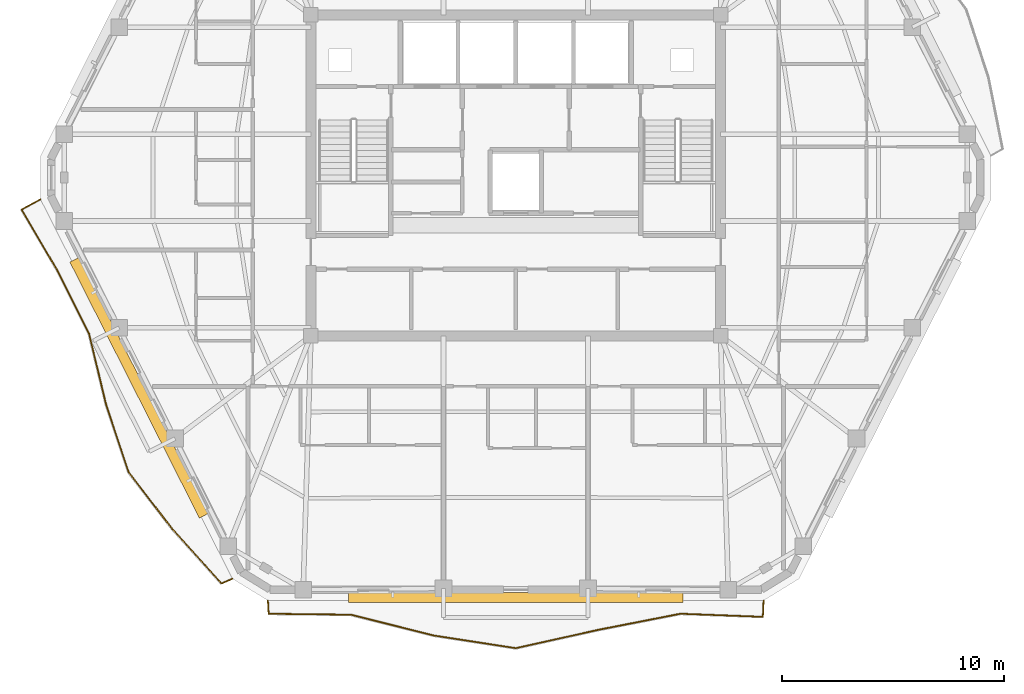
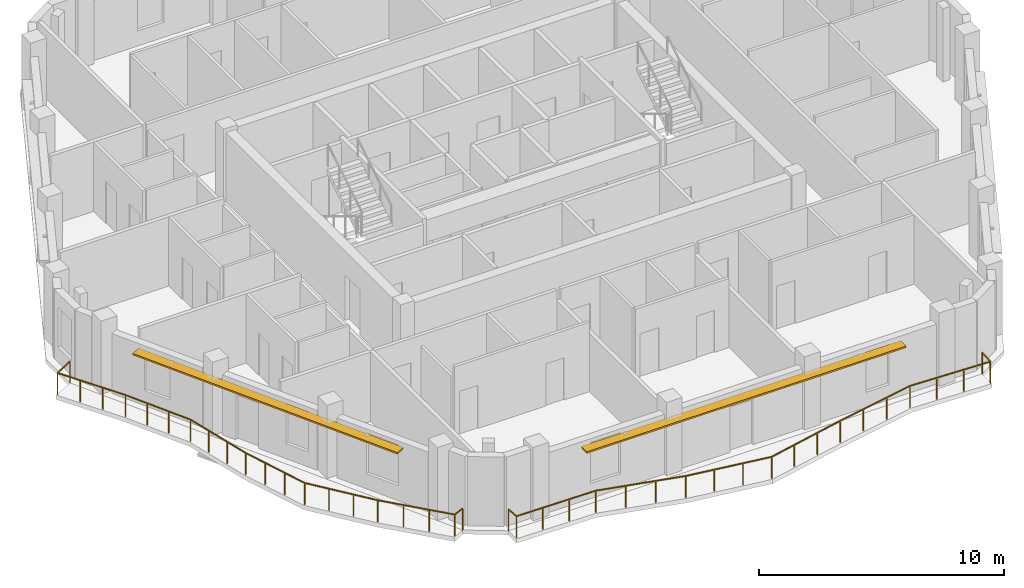
# One storey, part 9 of 11: 2 railings, 2 shading devices.
"""IFC4 building model written with IfcOpenShell, lengths in metres."""

from ifc_helpers import new_model, si_unit, direction, frame, origin, origin_2d, place, context, subcontext, project, spatial, rectangle, extrude, material, layer, layer_set, type_object, element, save


model = new_model("IFC4")

# Units and contexts
model_context = context("Model", 3, precision=1e-05, world=origin(), true_north=direction((0.0, 1.0)))
body_context = subcontext(model_context, "Body", "Model", "MODEL_VIEW")
ifc_project = project(units=[si_unit("LENGTHUNIT", "METRE"), si_unit("AREAUNIT", "SQUARE_METRE"), si_unit("VOLUMEUNIT", "CUBIC_METRE"), si_unit("PLANEANGLEUNIT", "RADIAN"), si_unit("MASSUNIT", "GRAM", prefix="KILO")], contexts=[model_context])

# Site, building, storey
site_placement = place(None, origin())
site = spatial("IfcSite", under=ifc_project, at=site_placement, CompositionType="ELEMENT")
building_placement = place(site_placement, origin())
building = spatial("IfcBuilding", under=site, at=building_placement, Name="Cinnabar Lancet Tower", CompositionType="ELEMENT")
storey_placement = place(building_placement, frame((0.0, 0.0, 245.25)))
storey = spatial("IfcBuildingStorey", under=building, at=storey_placement, Name="L65", CompositionType="ELEMENT", Elevation=245.25)

# Railings
ifc_material_1 = material(Name="Laminated safety glass and bronze stainless steel balustrade", Category="steel")
railing_type = type_object("IfcRailingType", Name="ENV-RLG-BAL-1100", PredefinedType="BALUSTRADE", material=ifc_material_1)
railing_1_placement = place(storey_placement, frame((21.236083984375, 6.75, 0.0)))
element("IfcRailing", 1, at=railing_1_placement, inside=storey, type_object=railing_type, Name="L65 Face 1 Wave Balcony Balustrade", PredefinedType="BALUSTRADE", context=body_context, shape_type="SweptSolid", body=[
    extrude(rectangle(XDim=0.048095703125, YDim=0.048095703125, at=origin_2d()), frame((0.0, 0.0, 1.076171875), z_axis=(0.058482280982, -0.998288446698, 0.0), x_axis=(0.998288446698, 0.058482280982, 0.0)), (0.0, 0.0, 1.0), 0.596923828125),
    extrude(rectangle(XDim=0.048095703125, YDim=0.048095703125, at=origin_2d()), frame((0.034912109375, -0.595947265625, 1.076171875), z_axis=(0.999935982602, -0.011315065066, 0.0), x_axis=(0.011315065066, 0.999935982602, 0.0)), (0.0, 0.0, 1.0), 3.711181640625),
    extrude(rectangle(XDim=0.048095703125, YDim=0.048095703125, at=origin_2d()), frame((3.745849609375, -0.637939453125, 1.076171875), z_axis=(0.969780948723, -0.243977276594, 0.0), x_axis=(0.243977276594, 0.969780948723, 0.0)), (0.0, 0.0, 1.0), 3.824462890625),
    extrude(rectangle(XDim=0.048095703125, YDim=0.048095703125, at=origin_2d()), frame((7.454833984375, -1.571044921875, 1.076171875), z_axis=(0.988275992222, -0.152677972206, 0.0), x_axis=(0.152677972206, 0.988275992222, 0.0)), (0.0, 0.0, 1.0), 3.7529296875),
    extrude(rectangle(XDim=0.048095703125, YDim=0.048095703125, at=origin_2d()), frame((11.163818359375, -2.14404296875, 1.076171875), z_axis=(0.976242986729, 0.216678634992, 0.0), x_axis=(-0.216678634992, 0.976242986729, 0.0)), (0.0, 0.0, 1.0), 3.79833984375),
    extrude(rectangle(XDim=0.048095703125, YDim=0.048095703125, at=origin_2d()), frame((14.871826171875, -1.321044921875, 1.076171875), z_axis=(0.981335738217, 0.192302285215, 0.0), x_axis=(-0.192302285215, 0.981335738217, 0.0)), (0.0, 0.0, 1.0), 3.78076171875),
    extrude(rectangle(XDim=0.048095703125, YDim=0.048095703125, at=origin_2d()), frame((18.58203125, -0.593994140625, 1.076171875), z_axis=(0.999278162357, -0.037988869892, 0.0), x_axis=(0.037988869892, 0.999278162357, 0.0)), (0.0, 0.0, 1.0), 3.714599609375),
    extrude(rectangle(XDim=0.048095703125, YDim=0.048095703125, at=origin_2d()), frame((22.2939453125, -0.735107421875, 1.076171875), z_axis=(0.046114952977, 0.998936139657, 0.0), x_axis=(-0.998936139657, 0.046114952977, 0.0)), (0.0, 0.0, 1.0), 0.73583984375),
    extrude(rectangle(XDim=0.0419921875, YDim=0.0419921875, at=origin_2d()), origin(), (0.0, 0.0, 1.0), 1.052001953125),
    extrude(rectangle(XDim=0.0419921875, YDim=0.0419921875, at=origin_2d()), frame((0.034912109375, -0.595947265625, 0.0)), (0.0, 0.0, 1.0), 1.052001953125),
    extrude(rectangle(XDim=0.0419921875, YDim=0.0419921875, at=origin_2d()), frame((1.27197265625, -0.60986328125, 0.0)), (0.0, 0.0, 1.0), 1.052001953125),
    extrude(rectangle(XDim=0.0419921875, YDim=0.0419921875, at=origin_2d()), frame((2.5087890625, -0.6240234375, 0.0)), (0.0, 0.0, 1.0), 1.052001953125),
    extrude(rectangle(XDim=0.0419921875, YDim=0.0419921875, at=origin_2d()), frame((3.745849609375, -0.637939453125, 0.0)), (0.0, 0.0, 1.0), 1.052001953125),
    extrude(rectangle(XDim=0.0419921875, YDim=0.0419921875, at=origin_2d()), frame((4.982177734375, -0.948974609375, 0.0)), (0.0, 0.0, 1.0), 1.052001953125),
    extrude(rectangle(XDim=0.0419921875, YDim=0.0419921875, at=origin_2d()), frame((6.218505859375, -1.260009765625, 0.0)), (0.0, 0.0, 1.0), 1.052001953125),
    extrude(rectangle(XDim=0.0419921875, YDim=0.0419921875, at=origin_2d()), frame((7.454833984375, -1.571044921875, 0.0)), (0.0, 0.0, 1.0), 1.052001953125),
    extrude(rectangle(XDim=0.0419921875, YDim=0.0419921875, at=origin_2d()), frame((8.691162109375, -1.761962890625, 0.0)), (0.0, 0.0, 1.0), 1.052001953125),
    extrude(rectangle(XDim=0.0419921875, YDim=0.0419921875, at=origin_2d()), frame((9.927490234375, -1.953125, 0.0)), (0.0, 0.0, 1.0), 1.052001953125),
    extrude(rectangle(XDim=0.0419921875, YDim=0.0419921875, at=origin_2d()), frame((11.163818359375, -2.14404296875, 0.0)), (0.0, 0.0, 1.0), 1.052001953125),
    extrude(rectangle(XDim=0.0419921875, YDim=0.0419921875, at=origin_2d()), frame((12.39990234375, -1.86962890625, 0.0)), (0.0, 0.0, 1.0), 1.052001953125),
    extrude(rectangle(XDim=0.0419921875, YDim=0.0419921875, at=origin_2d()), frame((13.6357421875, -1.595458984375, 0.0)), (0.0, 0.0, 1.0), 1.052001953125),
    extrude(rectangle(XDim=0.0419921875, YDim=0.0419921875, at=origin_2d()), frame((14.871826171875, -1.321044921875, 0.0)), (0.0, 0.0, 1.0), 1.052001953125),
    extrude(rectangle(XDim=0.0419921875, YDim=0.0419921875, at=origin_2d()), frame((16.108642578125, -1.07861328125, 0.0)), (0.0, 0.0, 1.0), 1.052001953125),
    extrude(rectangle(XDim=0.0419921875, YDim=0.0419921875, at=origin_2d()), frame((17.34521484375, -0.83642578125, 0.0)), (0.0, 0.0, 1.0), 1.052001953125),
    extrude(rectangle(XDim=0.0419921875, YDim=0.0419921875, at=origin_2d()), frame((18.58203125, -0.593994140625, 0.0)), (0.0, 0.0, 1.0), 1.052001953125),
    extrude(rectangle(XDim=0.0419921875, YDim=0.0419921875, at=origin_2d()), frame((19.8193359375, -0.64111328125, 0.0)), (0.0, 0.0, 1.0), 1.052001953125),
    extrude(rectangle(XDim=0.0419921875, YDim=0.0419921875, at=origin_2d()), frame((21.056640625, -0.68798828125, 0.0)), (0.0, 0.0, 1.0), 1.052001953125),
    extrude(rectangle(XDim=0.0419921875, YDim=0.0419921875, at=origin_2d()), frame((22.2939453125, -0.735107421875, 0.0)), (0.0, 0.0, 1.0), 1.052001953125),
    extrude(rectangle(XDim=0.0419921875, YDim=0.0419921875, at=origin_2d()), frame((22.327880859375, 0.0, 0.0)), (0.0, 0.0, 1.0), 1.052001953125),
])
railing_2_placement = place(storey_placement, frame((10.9970703125, 24.818115234375, 0.0)))
element("IfcRailing", 2, at=railing_2_placement, inside=storey, type_object=railing_type, Name="L65 Face 6 Wave Balcony Balustrade", PredefinedType="BALUSTRADE", context=body_context, shape_type="SweptSolid", body=[
    extrude(rectangle(XDim=0.048095703125, YDim=0.048095703125, at=origin_2d()), frame((0.0, 0.0, 1.076171875), z_axis=(-0.879476164794, -0.475942933092, 0.0), x_axis=(0.475942933092, -0.879476164794, 0.0)), (0.0, 0.0, 1.0), 0.970947265625),
    extrude(rectangle(XDim=0.048095703125, YDim=0.048095703125, at=origin_2d()), frame((-0.85400390625, -0.462158203125, 1.076171875), z_axis=(0.506990017937, -0.861951925407, 0.0), x_axis=(0.861951925407, 0.506990017937, 0.0)), (0.0, 0.0, 1.0), 3.189208984375),
    extrude(rectangle(XDim=0.048095703125, YDim=0.048095703125, at=origin_2d()), frame((0.762939453125, -3.211181640625, 1.076171875), z_axis=(0.447367085942, -0.894350429315, 0.0), x_axis=(0.894350429315, 0.447367085942, 0.0)), (0.0, 0.0, 1.0), 3.18115234375),
    extrude(rectangle(XDim=0.048095703125, YDim=0.048095703125, at=origin_2d()), frame((2.18603515625, -6.05615234375, 1.076171875), z_axis=(0.23407083932, -0.972219544229, 0.0), x_axis=(0.972219544229, 0.23407083932, 0.0)), (0.0, 0.0, 1.0), 3.267822265625),
    extrude(rectangle(XDim=0.048095703125, YDim=0.048095703125, at=origin_2d()), frame((2.950927734375, -9.233154296875, 1.076171875), z_axis=(0.314906809214, -0.949122595617, 0.0), x_axis=(0.949122595617, 0.314906809214, 0.0)), (0.0, 0.0, 1.0), 3.216552734375),
    extrude(rectangle(XDim=0.048095703125, YDim=0.048095703125, at=origin_2d()), frame((3.9638671875, -12.2861328125, 1.076171875), z_axis=(0.610490126718, -0.792023866547, 0.0), x_axis=(0.792023866547, 0.610490126718, 0.0)), (0.0, 0.0, 1.0), 3.238525390625),
    extrude(rectangle(XDim=0.048095703125, YDim=0.048095703125, at=origin_2d()), frame((5.94091796875, -14.85107421875, 1.076171875), z_axis=(0.669770371675, -0.742568279167, 0.0), x_axis=(0.742568279167, 0.669770371675, 0.0)), (0.0, 0.0, 1.0), 3.296630859375),
    extrude(rectangle(XDim=0.048095703125, YDim=0.048095703125, at=origin_2d()), frame((8.14892578125, -17.299072265625, 1.076171875), z_axis=(0.918036023743, 0.396496984995, 0.0), x_axis=(-0.396496984995, 0.918036023743, 0.0)), (0.0, 0.0, 1.0), 0.536865234375),
    extrude(rectangle(XDim=0.0419921875, YDim=0.0419921875, at=origin_2d()), origin(), (0.0, 0.0, 1.0), 1.052001953125),
    extrude(rectangle(XDim=0.0419921875, YDim=0.0419921875, at=origin_2d()), frame((-0.85400390625, -0.462158203125, 0.0)), (0.0, 0.0, 1.0), 1.052001953125),
    extrude(rectangle(XDim=0.0419921875, YDim=0.0419921875, at=origin_2d()), frame((-0.31494140625, -1.37841796875, 0.0)), (0.0, 0.0, 1.0), 1.052001953125),
    extrude(rectangle(XDim=0.0419921875, YDim=0.0419921875, at=origin_2d()), frame((0.223876953125, -2.294921875, 0.0)), (0.0, 0.0, 1.0), 1.052001953125),
    extrude(rectangle(XDim=0.0419921875, YDim=0.0419921875, at=origin_2d()), frame((0.762939453125, -3.211181640625, 0.0)), (0.0, 0.0, 1.0), 1.052001953125),
    extrude(rectangle(XDim=0.0419921875, YDim=0.0419921875, at=origin_2d()), frame((1.2373046875, -4.159423828125, 0.0)), (0.0, 0.0, 1.0), 1.052001953125),
    extrude(rectangle(XDim=0.0419921875, YDim=0.0419921875, at=origin_2d()), frame((1.711669921875, -5.10791015625, 0.0)), (0.0, 0.0, 1.0), 1.052001953125),
    extrude(rectangle(XDim=0.0419921875, YDim=0.0419921875, at=origin_2d()), frame((2.18603515625, -6.05615234375, 0.0)), (0.0, 0.0, 1.0), 1.052001953125),
    extrude(rectangle(XDim=0.0419921875, YDim=0.0419921875, at=origin_2d()), frame((2.44091796875, -7.115234375, 0.0)), (0.0, 0.0, 1.0), 1.052001953125),
    extrude(rectangle(XDim=0.0419921875, YDim=0.0419921875, at=origin_2d()), frame((2.696044921875, -8.174072265625, 0.0)), (0.0, 0.0, 1.0), 1.052001953125),
    extrude(rectangle(XDim=0.0419921875, YDim=0.0419921875, at=origin_2d()), frame((2.950927734375, -9.233154296875, 0.0)), (0.0, 0.0, 1.0), 1.052001953125),
    extrude(rectangle(XDim=0.0419921875, YDim=0.0419921875, at=origin_2d()), frame((3.28857421875, -10.250732421875, 0.0)), (0.0, 0.0, 1.0), 1.052001953125),
    extrude(rectangle(XDim=0.0419921875, YDim=0.0419921875, at=origin_2d()), frame((3.626220703125, -11.2685546875, 0.0)), (0.0, 0.0, 1.0), 1.052001953125),
    extrude(rectangle(XDim=0.0419921875, YDim=0.0419921875, at=origin_2d()), frame((3.9638671875, -12.2861328125, 0.0)), (0.0, 0.0, 1.0), 1.052001953125),
    extrude(rectangle(XDim=0.0419921875, YDim=0.0419921875, at=origin_2d()), frame((4.622802734375, -13.14111328125, 0.0)), (0.0, 0.0, 1.0), 1.052001953125),
    extrude(rectangle(XDim=0.0419921875, YDim=0.0419921875, at=origin_2d()), frame((5.281982421875, -13.99609375, 0.0)), (0.0, 0.0, 1.0), 1.052001953125),
    extrude(rectangle(XDim=0.0419921875, YDim=0.0419921875, at=origin_2d()), frame((5.94091796875, -14.85107421875, 0.0)), (0.0, 0.0, 1.0), 1.052001953125),
    extrude(rectangle(XDim=0.0419921875, YDim=0.0419921875, at=origin_2d()), frame((6.677001953125, -15.6669921875, 0.0)), (0.0, 0.0, 1.0), 1.052001953125),
    extrude(rectangle(XDim=0.0419921875, YDim=0.0419921875, at=origin_2d()), frame((7.412841796875, -16.483154296875, 0.0)), (0.0, 0.0, 1.0), 1.052001953125),
    extrude(rectangle(XDim=0.0419921875, YDim=0.0419921875, at=origin_2d()), frame((8.14892578125, -17.299072265625, 0.0)), (0.0, 0.0, 1.0), 1.052001953125),
    extrude(rectangle(XDim=0.0419921875, YDim=0.0419921875, at=origin_2d()), frame((8.641845703125, -17.086181640625, 0.0)), (0.0, 0.0, 1.0), 1.052001953125),
])

# Shading devices
ifc_material_2 = material(Name="Pale limestone architectural aluminium sunshade", Category="masonry")
ifc_layer = layer(ifc_material_2, 0.080078125)
ifc_layer_set = layer_set([ifc_layer], Name="Pale limestone architectural aluminium sunshade")
shading_device_type = type_object("IfcShadingDeviceType", Name="ENV-SHD-LVR-450", PredefinedType="JALOUSIE", material=ifc_layer_set)
shading_device_1_placement = place(storey_placement, frame((32.39990234375, 6.8798828125, 2.639892578125), z_axis=(0.0, 0.0, 1.0), x_axis=(1.0, 0.0, 0.0)))
element("IfcShadingDevice", 3, at=shading_device_1_placement, inside=storey, type_object=shading_device_type, Name="L65 Face 1 Horizontal Sunshade Canopy", PredefinedType="JALOUSIE", context=body_context, shape_type="SweptSolid", body=[
    extrude(rectangle(XDim=15.06103515625, YDim=0.449951171875, at=origin_2d()), origin(), (0.0, 0.0, 1.0), 0.080078125),
])
shading_device_2_placement = place(storey_placement, frame((15.43603515625, 16.330078125, 2.639892578125), z_axis=(0.0, 0.0, 1.0), x_axis=(0.451375984307, -0.89233386173, 0.0)))
element("IfcShadingDevice", 4, at=shading_device_2_placement, inside=storey, type_object=shading_device_type, Name="L65 Face 6 Horizontal Sunshade Canopy", PredefinedType="JALOUSIE", context=body_context, shape_type="SweptSolid", body=[
    extrude(rectangle(XDim=12.912109375, YDim=0.449951171875, at=origin_2d()), origin(), (0.0, 0.0, 1.0), 0.080078125),
])

save(model, "model.ifc")
